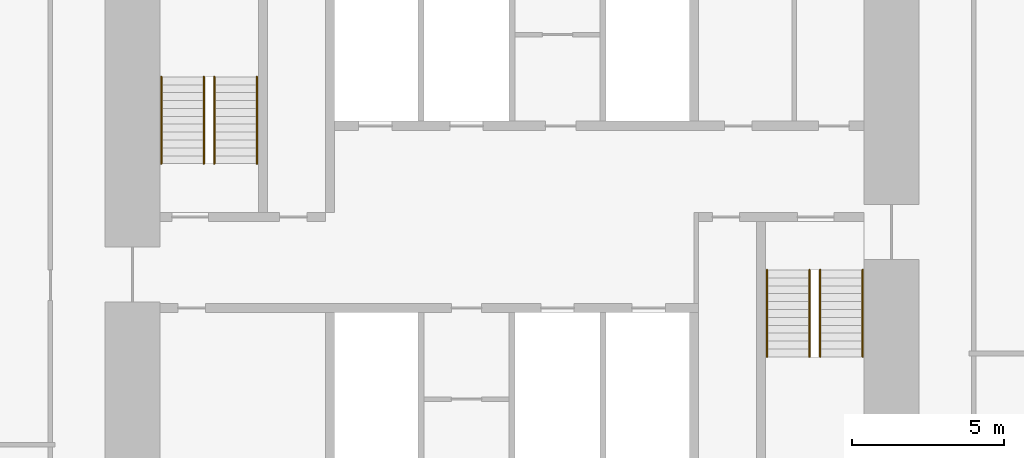
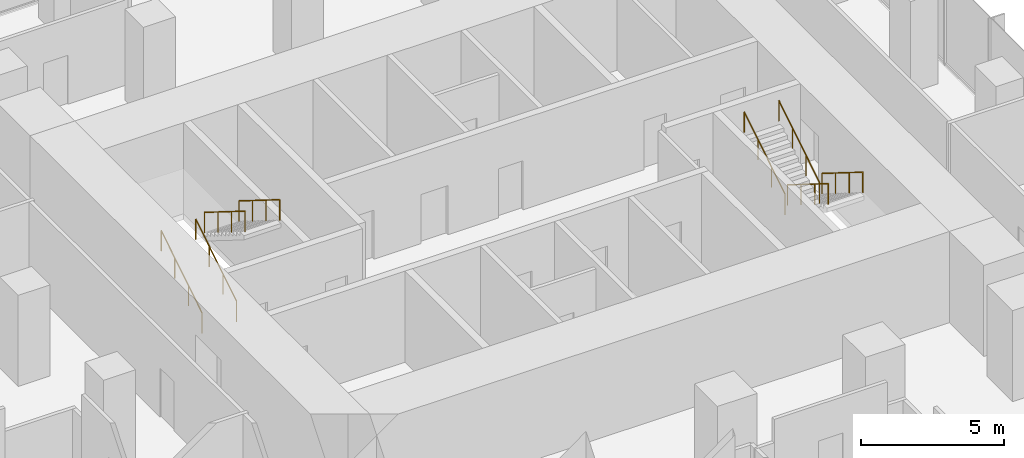
# One storey, part 11 of 11: 8 railings.
"""IFC4 building model written with IfcOpenShell, lengths in metres."""

from ifc_helpers import new_model, si_unit, direction, frame, origin, origin_2d, place, context, subcontext, project, spatial, circle, extrude, material, type_object, element, save


model = new_model("IFC4")

# Units and contexts
model_context = context("Model", 3, precision=1e-05, world=origin(), true_north=direction((0.0, 1.0)))
body_context = subcontext(model_context, "Body", "Model", "MODEL_VIEW")
ifc_project = project(units=[si_unit("LENGTHUNIT", "METRE"), si_unit("AREAUNIT", "SQUARE_METRE"), si_unit("VOLUMEUNIT", "CUBIC_METRE"), si_unit("PLANEANGLEUNIT", "RADIAN"), si_unit("MASSUNIT", "GRAM", prefix="KILO")], contexts=[model_context])

# Site, building, storey
site_placement = place(None, origin())
site = spatial("IfcSite", under=ifc_project, at=site_placement, CompositionType="ELEMENT")
building_placement = place(site_placement, origin())
building = spatial("IfcBuilding", under=site, at=building_placement, Name="Highveld Stack Headquarters", CompositionType="ELEMENT")
storey_placement = place(building_placement, frame((0.0, 0.0, 224.0)))
storey = spatial("IfcBuildingStorey", under=building, at=storey_placement, Name="L55", CompositionType="ELEMENT", Elevation=224.0)

# Railings
ifc_material = material(Name="Stainless steel handrail", Category="steel")
railing_type = type_object("IfcRailingType", Name="STAIR HANDRAIL HR1 900", PredefinedType="HANDRAIL", material=ifc_material)
for number, where, name in (
    (1, (-5.550048828125, 4.75, 0.16259765625), "Handrail S1 L55 flight 1"),
    (2, (-4.14990234375, 4.75, 0.16259765625), "Handrail S1 L55 flight 1"),
):
    element("IfcRailing", number, at=place(storey_placement, frame(where)), inside=storey, type_object=railing_type, Name=name, PredefinedType="HANDRAIL", context=body_context, shape_type="SweptSolid", body=[
        extrude(circle(Radius=0.02392578125, at=origin_2d()), frame((0.0, 0.0, 0.8759765625), z_axis=(0.0, 0.848026770018, 0.529953391661), x_axis=(-1.0, 0.0, 0.0)), (0.0, 0.0, 1.0), 3.37255859375),
        extrude(circle(Radius=0.02099609375, at=origin_2d()), origin(), (0.0, 0.0, 1.0), 0.851806640625),
        extrude(circle(Radius=0.02099609375, at=origin_2d()), frame((0.0, 0.953369140625, 0.595703125)), (0.0, 0.0, 1.0), 0.851806640625),
        extrude(circle(Radius=0.02099609375, at=origin_2d()), frame((0.0, 1.90673828125, 1.191650390625)), (0.0, 0.0, 1.0), 0.851806640625),
        extrude(circle(Radius=0.02099609375, at=origin_2d()), frame((0.0, 2.860107421875, 1.787353515625)), (0.0, 0.0, 1.0), 0.851806640625),
    ])
for number, where, name in (
    (3, (-3.800048828125, 7.610107421875, 2.112548828125), "Handrail S1 L55 flight 2"),
    (4, (-2.39990234375, 7.610107421875, 2.112548828125), "Handrail S1 L55 flight 2"),
    (5, (16.14990234375, 1.25, 0.16259765625), "Handrail S2 L55 flight 1"),
    (6, (17.550048828125, 1.25, 0.16259765625), "Handrail S2 L55 flight 1"),
):
    element("IfcRailing", number, at=place(storey_placement, frame(where)), inside=storey, type_object=railing_type, Name=name, PredefinedType="HANDRAIL", context=body_context, shape_type="SweptSolid", body=[
        extrude(circle(Radius=0.02392578125, at=origin_2d()), frame((0.0, 0.0, 0.8759765625), z_axis=(0.0, -0.848026770018, 0.529953391661), x_axis=(1.0, 0.0, 0.0)), (0.0, 0.0, 1.0), 3.37255859375),
        extrude(circle(Radius=0.02099609375, at=origin_2d()), origin(), (0.0, 0.0, 1.0), 0.851806640625),
        extrude(circle(Radius=0.02099609375, at=origin_2d()), frame((0.0, -0.953369140625, 0.595703125)), (0.0, 0.0, 1.0), 0.851806640625),
        extrude(circle(Radius=0.02099609375, at=origin_2d()), frame((0.0, -1.90673828125, 1.191650390625)), (0.0, 0.0, 1.0), 0.851806640625),
        extrude(circle(Radius=0.02099609375, at=origin_2d()), frame((0.0, -2.860107421875, 1.787353515625)), (0.0, 0.0, 1.0), 0.851806640625),
    ])
for number, where, name in (
    (7, (14.39990234375, -1.610107421875, 2.112548828125), "Handrail S2 L55 flight 2"),
    (8, (15.800048828125, -1.610107421875, 2.112548828125), "Handrail S2 L55 flight 2"),
):
    element("IfcRailing", number, at=place(storey_placement, frame(where)), inside=storey, type_object=railing_type, Name=name, PredefinedType="HANDRAIL", context=body_context, shape_type="SweptSolid", body=[
        extrude(circle(Radius=0.02392578125, at=origin_2d()), frame((0.0, 0.0, 0.8759765625), z_axis=(0.0, 0.848026770018, 0.529953391661), x_axis=(-1.0, 0.0, 0.0)), (0.0, 0.0, 1.0), 3.37255859375),
        extrude(circle(Radius=0.02099609375, at=origin_2d()), origin(), (0.0, 0.0, 1.0), 0.851806640625),
        extrude(circle(Radius=0.02099609375, at=origin_2d()), frame((0.0, 0.953369140625, 0.595703125)), (0.0, 0.0, 1.0), 0.851806640625),
        extrude(circle(Radius=0.02099609375, at=origin_2d()), frame((0.0, 1.90673828125, 1.191650390625)), (0.0, 0.0, 1.0), 0.851806640625),
        extrude(circle(Radius=0.02099609375, at=origin_2d()), frame((0.0, 2.860107421875, 1.787353515625)), (0.0, 0.0, 1.0), 0.851806640625),
    ])

save(model, "model.ifc")
